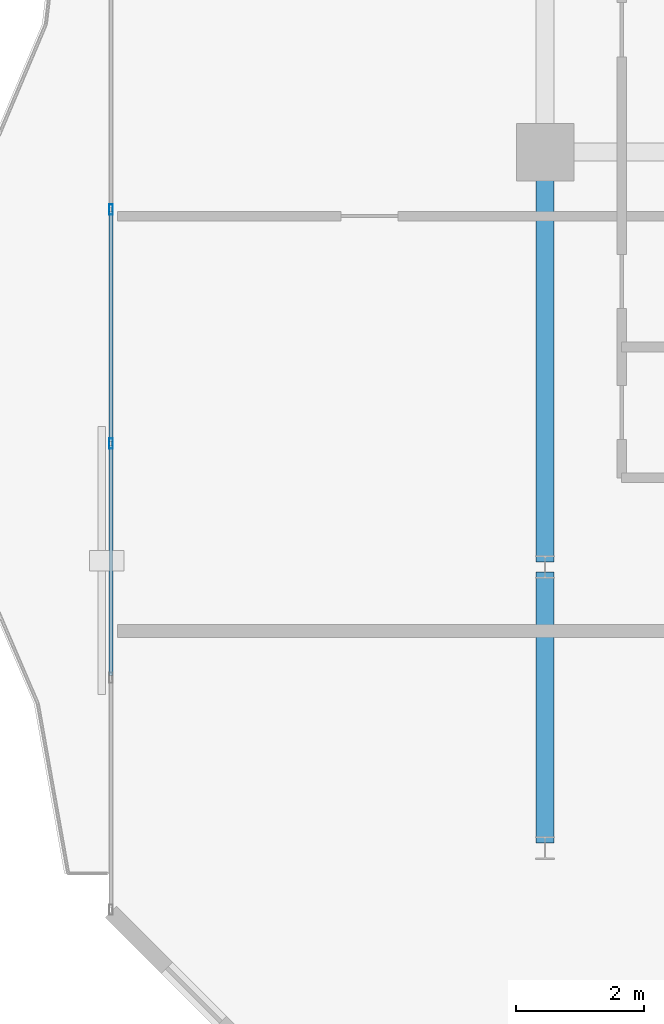
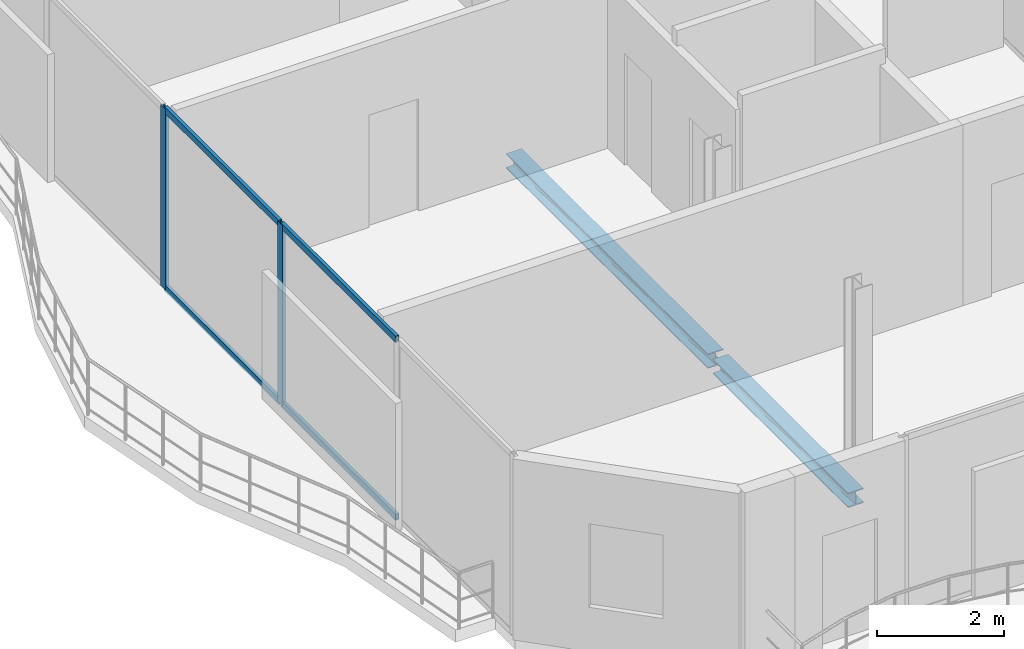
# One storey, part 3 of 16: 6 members, 2 beams, 1 element without a shape of its own.
"""IFC4 building model written with IfcOpenShell, lengths in metres."""

from ifc_helpers import new_model, si_unit, direction, frame, origin, origin_2d, place, context, subcontext, project, spatial, hollow_rectangle, i_section, extrude, material, layer, layer_set, material_profile, profile_set, type_object, element, aggregate, save


model = new_model("IFC4")

# Units and contexts
model_context = context("Model", 3, precision=1e-05, world=origin(), true_north=direction((0.0, 1.0)))
body_context = subcontext(model_context, "Body", "Model", "MODEL_VIEW")
ifc_project = project(units=[si_unit("LENGTHUNIT", "METRE"), si_unit("AREAUNIT", "SQUARE_METRE"), si_unit("VOLUMEUNIT", "CUBIC_METRE"), si_unit("PLANEANGLEUNIT", "RADIAN"), si_unit("MASSUNIT", "GRAM", prefix="KILO")], contexts=[model_context])

# Site, building, storey
site_placement = place(None, origin())
site = spatial("IfcSite", under=ifc_project, at=site_placement, CompositionType="ELEMENT")
building_placement = place(site_placement, origin())
building = spatial("IfcBuilding", under=site, at=building_placement, Name="Catumbela Crestline Tower", CompositionType="ELEMENT")
storey_placement = place(building_placement, frame((0.0, 0.0, 286.8)))
storey = spatial("IfcBuildingStorey", under=building, at=storey_placement, Name="L74", CompositionType="ELEMENT", Elevation=286.8)

# Beams
ifc_material_1 = material(Name="Structural steel S355J2", Category="steel")
ifc_material_profile_1 = material_profile(ifc_material_1, i_section(OverallWidth=0.28, OverallDepth=0.28, WebThickness=0.0105, FlangeThickness=0.018, FilletRadius=0.024, at=origin_2d()), Name="HEB 280")
ifc_profile_set_1 = profile_set([ifc_material_profile_1], Name="Structural steel S355J2")
beam_type = type_object("IfcBeamType", Name="BG-HEB280", PredefinedType="BEAM", material=ifc_profile_set_1)
beam_1_placement = place(storey_placement, frame((16.0, 13.68, -0.4), z_axis=(0.0, 1.0, 0.0), x_axis=(-1.0, 0.0, 0.0)))
element("IfcBeam", 1, at=beam_1_placement, inside=storey, type_object=beam_type, Name="L74 Beam BM-L74-WNS18", PredefinedType="BEAM", context=body_context, shape_type="SweptSolid", body=[
    extrude(i_section(OverallWidth=0.28, OverallDepth=0.28, WebThickness=0.0105, FlangeThickness=0.018, FilletRadius=0.024, at=origin_2d()), origin(), (0.0, 0.0, 1.0), 4.24),
])
beam_2_placement = place(storey_placement, frame((16.0, 18.08, -0.4), z_axis=(0.0, 1.0, 0.0), x_axis=(-1.0, 0.0, 0.0)))
element("IfcBeam", 2, at=beam_2_placement, inside=storey, type_object=beam_type, Name="L74 Beam BM-L74-WNS19", PredefinedType="BEAM", context=body_context, shape_type="SweptSolid", body=[
    extrude(i_section(OverallWidth=0.28, OverallDepth=0.28, WebThickness=0.0105, FlangeThickness=0.018, FilletRadius=0.024, at=origin_2d()), origin(), (0.0, 0.0, 1.0), 6.34),
])

# Curtain wall, members
ifc_material_2 = material(Name="Aluminium alloy AW-6060-T66", Category="aluminium")
ifc_layer = layer(ifc_material_2, 0.18, Name="Aluminium alloy AW-6060-T66")
ifc_layer_set = layer_set([ifc_layer], Name="Aluminium alloy AW-6060-T66")
curtain_wall_type = type_object("IfcCurtainWallType", Name="CWU-Z4", PredefinedType="USERDEFINED", material=ifc_layer_set)
curtain_wall_placement = place(storey_placement, origin())
curtain_wall = element("IfcCurtainWall", 3, at=curtain_wall_placement, inside=storey, type_object=curtain_wall_type, Name="L74 Unitised Curtain Wall CW-L74-E9S2", ObjectType="UNITISED", PredefinedType="USERDEFINED")
ifc_material_profile_2 = material_profile(ifc_material_2, hollow_rectangle(XDim=0.06, YDim=0.16, WallThickness=0.004, at=origin_2d()), Name="ALU 160x60x4")
ifc_profile_set_2 = profile_set([ifc_material_profile_2], Name="Aluminium alloy AW-6060-T66")
member_type_1 = type_object("IfcMemberType", Name="MUL-160X60", PredefinedType="MULLION", material=ifc_profile_set_2)
member_1_placement = place(storey_placement, frame((9.2, 23.6, 0.0), z_axis=(0.0, 0.0, 1.0), x_axis=(1.0, 0.0, 0.0)))
member_1 = element("IfcMember", 4, at=member_1_placement, type_object=member_type_1, Name="CWU-Z4 mullion 4", PredefinedType="MULLION", context=body_context, shape_type="SweptSolid", body=[
    extrude(hollow_rectangle(XDim=0.06, YDim=0.16, WallThickness=0.004, at=origin_2d()), origin(), (0.0, 0.0, 1.0), 3.47),
])
member_2_placement = place(storey_placement, frame((9.2, 19.9333, 0.0), z_axis=(0.0, 0.0, 1.0), x_axis=(1.0, 0.0, 0.0)))
member_2 = element("IfcMember", 5, at=member_2_placement, type_object=member_type_1, Name="CWU-Z4 mullion 5", PredefinedType="MULLION", context=body_context, shape_type="SweptSolid", body=[
    extrude(hollow_rectangle(XDim=0.06, YDim=0.16, WallThickness=0.004, at=origin_2d()), origin(), (0.0, 0.0, 1.0), 3.47),
])
ifc_material_profile_3 = material_profile(ifc_material_2, hollow_rectangle(XDim=0.06, YDim=0.12, WallThickness=0.0035, at=origin_2d()), Name="ALU 120x60x3.5")
ifc_profile_set_3 = profile_set([ifc_material_profile_3], Name="Aluminium alloy AW-6060-T66")
member_type_2 = type_object("IfcMemberType", Name="TRN-120X60", PredefinedType="USERDEFINED", material=ifc_profile_set_3)
member_3_placement = place(storey_placement, frame((9.2, 23.5675, 0.03), z_axis=(0.0, -1.0, 0.0), x_axis=(1.0, 0.0, 0.0)))
member_3 = element("IfcMember", 6, at=member_3_placement, type_object=member_type_2, Name="CWU-Z4 transom 4.1", ObjectType="TRANSOM", PredefinedType="USERDEFINED", context=body_context, shape_type="SweptSolid", body=[
    extrude(hollow_rectangle(XDim=0.06, YDim=0.12, WallThickness=0.0035, at=origin_2d()), origin(), (0.0, 0.0, 1.0), 3.6017),
])
member_4_placement = place(storey_placement, frame((9.2, 23.5675, 3.44), z_axis=(0.0, -1.0, 0.0), x_axis=(1.0, 0.0, 0.0)))
member_4 = element("IfcMember", 7, at=member_4_placement, type_object=member_type_2, Name="CWU-Z4 transom 4.2", ObjectType="TRANSOM", PredefinedType="USERDEFINED", context=body_context, shape_type="SweptSolid", body=[
    extrude(hollow_rectangle(XDim=0.06, YDim=0.12, WallThickness=0.0035, at=origin_2d()), origin(), (0.0, 0.0, 1.0), 3.6017),
])
member_5_placement = place(storey_placement, frame((9.2, 19.9008, 0.03), z_axis=(0.0, -1.0, 0.0), x_axis=(1.0, 0.0, 0.0)))
member_5 = element("IfcMember", 8, at=member_5_placement, type_object=member_type_2, Name="CWU-Z4 transom 5.1", ObjectType="TRANSOM", PredefinedType="USERDEFINED", context=body_context, shape_type="SweptSolid", body=[
    extrude(hollow_rectangle(XDim=0.06, YDim=0.12, WallThickness=0.0035, at=origin_2d()), origin(), (0.0, 0.0, 1.0), 3.6016),
])
member_6_placement = place(storey_placement, frame((9.2, 19.9008, 3.44), z_axis=(0.0, -1.0, 0.0), x_axis=(1.0, 0.0, 0.0)))
member_6 = element("IfcMember", 9, at=member_6_placement, type_object=member_type_2, Name="CWU-Z4 transom 5.2", ObjectType="TRANSOM", PredefinedType="USERDEFINED", context=body_context, shape_type="SweptSolid", body=[
    extrude(hollow_rectangle(XDim=0.06, YDim=0.12, WallThickness=0.0035, at=origin_2d()), origin(), (0.0, 0.0, 1.0), 3.6016),
])
aggregate(curtain_wall, [member_1, member_2, member_3, member_4, member_5, member_6])

save(model, "model.ifc")
